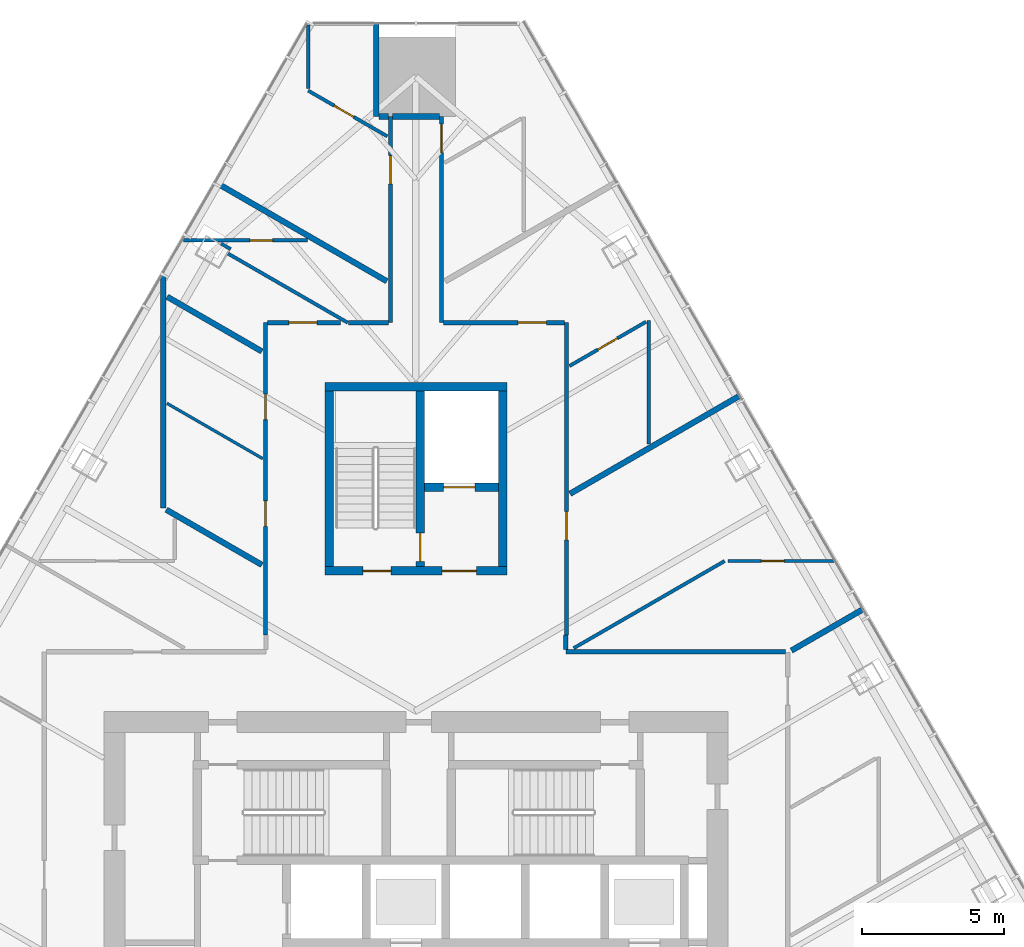
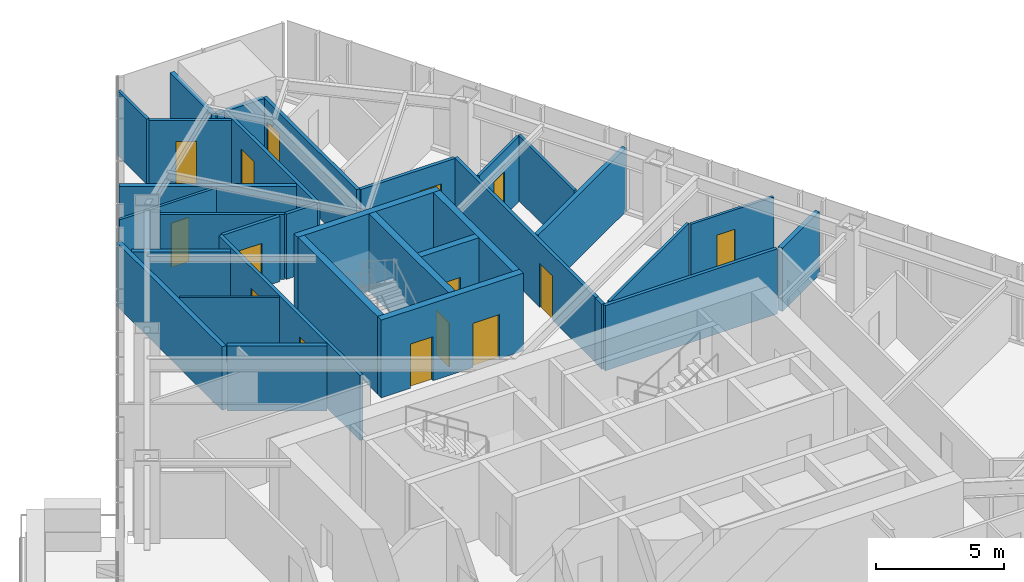
# One storey, part 18 of 23: 34 walls, 15 doors, 15 openings.
"""IFC4 building model written with IfcOpenShell, lengths in metres."""

from ifc_helpers import new_model, si_unit, direction, frame, frame_2d, origin, place, context, subcontext, project, spatial, rectangle, extrude, material, layer, layer_set, type_object, element, fill, save


model = new_model("IFC4")

# Units and contexts
model_context = context("Model", 3, precision=1e-05, world=origin(), true_north=direction((0.0, 1.0)))
body_context = subcontext(model_context, "Body", "Model", "MODEL_VIEW")
ifc_project = project(units=[si_unit("LENGTHUNIT", "METRE"), si_unit("AREAUNIT", "SQUARE_METRE"), si_unit("VOLUMEUNIT", "CUBIC_METRE"), si_unit("PLANEANGLEUNIT", "RADIAN"), si_unit("MASSUNIT", "GRAM", prefix="KILO")], contexts=[model_context])

# Site, building, storey
site_placement = place(None, origin())
site = spatial("IfcSite", under=ifc_project, at=site_placement, CompositionType="ELEMENT")
building_placement = place(site_placement, origin())
building = spatial("IfcBuilding", under=site, at=building_placement, Name="Firuza Gate Tower and Library", CompositionType="ELEMENT")
storey_placement = place(building_placement, frame((0.0, 0.0, 190.89990234375)))
storey = spatial("IfcBuildingStorey", under=building, at=storey_placement, Name="L44", CompositionType="ELEMENT", Elevation=190.89990234375)

# Wall, openings, doors
ifc_material_1 = material(Name="Concrete C80/95", Category="concrete")
ifc_layer_1 = layer(ifc_material_1, 0.300048828125)
ifc_layer_set_1 = layer_set([ifc_layer_1], Name="Core wall 300 C80/95")
wall_type_1 = type_object("IfcWallType", Name="Core wall 300 C80/95", PredefinedType="SHEAR", material=ifc_layer_set_1)
wall_1_placement = place(storey_placement, frame((71.800048828125, 87.949951171875, 0.0), z_axis=(0.0, 0.0, 1.0), x_axis=(1.0, 0.0, 0.0)))
wall_1 = element("IfcWall", 1, at=wall_1_placement, inside=storey, type_object=wall_type_1, Name="Core wall L44 27", PredefinedType="SHEAR", context=body_context, shape_type="SweptSolid", body=[
    extrude(rectangle(XDim=6.39990234375, YDim=0.300048828125, at=frame_2d((3.199951171875, 0.0))), origin(), (0.0, 0.0, 1.0), 3.7001953125),
])
opening_1_placement = place(wall_1_placement, frame((1.324951171875, 0.0, 0.0)))
opening_1 = element("IfcOpeningElement", 2, at=opening_1_placement, cuts=wall_1, Name="Opening L44-K15", PredefinedType="OPENING", context=body_context, shape_type="SweptSolid", body=[
    extrude(rectangle(XDim=1.0, YDim=2.10009765625, at=frame_2d((0.5, 1.050048828125))), frame((0.0, 0.16015625, 0.0), z_axis=(0.0, -1.0, 0.0), x_axis=(1.0, 0.0, 0.0)), (0.0, 0.0, 1.0), 0.320068359375),
])
opening_2_placement = place(wall_1_placement, frame((4.125, 0.0, 0.0)))
opening_2 = element("IfcOpeningElement", 3, at=opening_2_placement, cuts=wall_1, Name="Opening L44-K17", PredefinedType="OPENING", context=body_context, shape_type="SweptSolid", body=[
    extrude(rectangle(XDim=1.199951171875, YDim=2.10009765625, at=frame_2d((0.60009765625, 1.050048828125))), frame((0.0, 0.16015625, 0.0), z_axis=(0.0, -1.0, 0.0), x_axis=(1.0, 0.0, 0.0)), (0.0, 0.0, 1.0), 0.320068359375),
])
ifc_material_2 = material(Name="Steel", Category="steel")
door_type_1 = type_object("IfcDoorType", Name="Fire door 1000x2100 FD90", OperationType="NOTDEFINED", PredefinedType="DOOR", material=ifc_material_2)
door_1_placement = place(opening_1_placement, origin())
door_1 = element("IfcDoor", 4, at=door_1_placement, inside=storey, type_object=door_type_1, Name="Door L44-K15", OperationType="SINGLE_SWING_RIGHT", OverallHeight=2.10009765625, OverallWidth=1.0, PredefinedType="DOOR", context=body_context, shape_type="SweptSolid", body=[
    extrude(rectangle(XDim=1.0, YDim=2.10009765625, at=frame_2d((0.5, 1.050048828125))), frame((0.0, 0.02490234375, 0.0), z_axis=(0.0, -1.0, 0.0), x_axis=(1.0, 0.0, 0.0)), (0.0, 0.0, 1.0), 0.050048828125),
])
fill(opening_1, door_1)
ifc_material_3 = material(Name="Steel", Category="steel")
door_type_2 = type_object("IfcDoorType", Name="Fire door 1200x2100 FD30S", OperationType="NOTDEFINED", PredefinedType="DOOR", material=ifc_material_3)
door_2_placement = place(opening_2_placement, origin())
door_2 = element("IfcDoor", 5, at=door_2_placement, inside=storey, type_object=door_type_2, Name="Door L44-K17", OperationType="SINGLE_SWING_RIGHT", OverallHeight=2.10009765625, OverallWidth=1.199951171875, PredefinedType="DOOR", context=body_context, shape_type="SweptSolid", body=[
    extrude(rectangle(XDim=1.199951171875, YDim=2.10009765625, at=frame_2d((0.60009765625, 1.050048828125))), frame((0.0, 0.02490234375, 0.0), z_axis=(0.0, -1.0, 0.0), x_axis=(1.0, 0.0, 0.0)), (0.0, 0.0, 1.0), 0.050048828125),
])
fill(opening_2, door_2)

# Walls
wall_2_placement = place(storey_placement, frame((71.800048828125, 94.449951171875, 0.0), z_axis=(0.0, 0.0, 1.0), x_axis=(1.0, 0.0, 0.0)))
element("IfcWall", 6, at=wall_2_placement, inside=storey, type_object=wall_type_1, Name="Core wall L44 28", PredefinedType="SHEAR", context=body_context, shape_type="SweptSolid", body=[
    extrude(rectangle(XDim=6.39990234375, YDim=0.300048828125, at=frame_2d((3.199951171875, 0.0))), origin(), (0.0, 0.0, 1.0), 3.7001953125),
])
for number, where, z_axis, x_axis, name in (
    (7, (71.949951171875, 88.10009765625, 0.0), (0.0, 0.0, 1.0), (0.0, 1.0, 0.0), "Core wall L44 29"),
    (8, (78.050048828125, 88.10009765625, 0.0), (0.0, 0.0, 1.0), (0.0, 1.0, 0.0), "Core wall L44 30"),
):
    element("IfcWall", number, at=place(storey_placement, frame(where, z_axis=z_axis, x_axis=x_axis)), inside=storey, type_object=wall_type_1, Name=name, PredefinedType="SHEAR", context=body_context, shape_type="SweptSolid", body=[
        extrude(rectangle(XDim=6.199951171875, YDim=0.300048828125, at=frame_2d((3.10009765625, 0.0))), origin(), (0.0, 0.0, 1.0), 3.7001953125),
    ])

# Wall, opening, door
wall_3_placement = place(storey_placement, frame((75.300048828125, 90.89990234375, 0.0), z_axis=(0.0, 0.0, 1.0), x_axis=(1.0, 0.0, 0.0)))
wall_3 = element("IfcWall", 9, at=wall_3_placement, inside=storey, type_object=wall_type_1, Name="Core wall L44 31", PredefinedType="SHEAR", context=body_context, shape_type="SweptSolid", body=[
    extrude(rectangle(XDim=2.599853515625, YDim=0.300048828125, at=frame_2d((1.2998046875, 0.0))), origin(), (0.0, 0.0, 1.0), 3.7001953125),
])
opening_3_placement = place(wall_3_placement, frame((0.675048828125, 0.0, 0.0)))
opening_3 = element("IfcOpeningElement", 10, at=opening_3_placement, cuts=wall_3, Name="Opening LD-SV1-L44", PredefinedType="OPENING", context=body_context, shape_type="SweptSolid", body=[
    extrude(rectangle(XDim=1.10009765625, YDim=2.10009765625, at=frame_2d((0.550048828125, 1.050048828125))), frame((0.0, 0.16015625, 0.0), z_axis=(0.0, -1.0, 0.0), x_axis=(1.0, 0.0, 0.0)), (0.0, 0.0, 1.0), 0.320068359375),
])
ifc_material_4 = material(Name="Stainless steel", Category="steel")
door_type_3 = type_object("IfcDoorType", Name="Lift landing door 1100x2100", OperationType="DOUBLE_DOOR_SLIDING", PredefinedType="DOOR", material=ifc_material_4)
door_3_placement = place(opening_3_placement, origin())
door_3 = element("IfcDoor", 11, at=door_3_placement, inside=storey, type_object=door_type_3, Name="Landing door SV1 L44", OperationType="DOUBLE_DOOR_SLIDING", OverallHeight=2.10009765625, OverallWidth=1.10009765625, PredefinedType="DOOR", context=body_context, shape_type="SweptSolid", body=[
    extrude(rectangle(XDim=1.10009765625, YDim=2.10009765625, at=frame_2d((0.550048828125, 1.050048828125))), frame((0.0, 0.02490234375, 0.0), z_axis=(0.0, -1.0, 0.0), x_axis=(1.0, 0.0, 0.0)), (0.0, 0.0, 1.0), 0.050048828125),
])
fill(opening_3, door_3)

wall_4_placement = place(storey_placement, frame((75.14990234375, 88.10009765625, 0.0), z_axis=(0.0, 0.0, 1.0), x_axis=(0.0, 1.0, 0.0)))
wall_4 = element("IfcWall", 12, at=wall_4_placement, inside=storey, type_object=wall_type_1, Name="Core wall L44 32", PredefinedType="SHEAR", context=body_context, shape_type="SweptSolid", body=[
    extrude(rectangle(XDim=6.199951171875, YDim=0.300048828125, at=frame_2d((3.10009765625, 0.0))), origin(), (0.0, 0.0, 1.0), 3.7001953125),
])
opening_4_placement = place(wall_4_placement, frame((0.18505859375, 0.0, 0.0)))
opening_4 = element("IfcOpeningElement", 13, at=opening_4_placement, cuts=wall_4, Name="Opening L44-K16", PredefinedType="OPENING", context=body_context, shape_type="SweptSolid", body=[
    extrude(rectangle(XDim=1.0, YDim=2.10009765625, at=frame_2d((0.5, 1.050048828125))), frame((0.0, 0.16015625, 0.0), z_axis=(0.0, -1.0, 0.0), x_axis=(1.0, 0.0, 0.0)), (0.0, 0.0, 1.0), 0.320068359375),
])
door_4_placement = place(opening_4_placement, origin())
door_4 = element("IfcDoor", 14, at=door_4_placement, inside=storey, type_object=door_type_1, Name="Door L44-K16", OperationType="SINGLE_SWING_LEFT", OverallHeight=2.10009765625, OverallWidth=1.0, PredefinedType="DOOR", context=body_context, shape_type="SweptSolid", body=[
    extrude(rectangle(XDim=1.0, YDim=2.10009765625, at=frame_2d((0.5, 1.050048828125))), frame((0.0, 0.02490234375, 0.0), z_axis=(0.0, -1.0, 0.0), x_axis=(1.0, 0.0, 0.0)), (0.0, 0.0, 1.0), 0.050048828125),
])
fill(opening_4, door_4)

# Wall
ifc_material_5 = material(Name="Gypsum board partition")
ifc_layer_2 = layer(ifc_material_5, 0.14990234375)
ifc_layer_set_2 = layer_set([ifc_layer_2], Name="Corridor wall 150 double board on steel studs")
wall_type_2 = type_object("IfcWallType", Name="Corridor wall 150 double board on steel studs", PredefinedType="PARTITIONING", material=ifc_layer_set_2)
wall_5_placement = place(storey_placement, frame((80.280517578125, 85.10009765625, 0.0), z_axis=(0.0, 0.0, 1.0), x_axis=(1.0, 0.0, 0.0)))
element("IfcWall", 15, at=wall_5_placement, inside=storey, type_object=wall_type_2, Name="f:L44:w006", PredefinedType="PARTITIONING", context=body_context, shape_type="SweptSolid", body=[
    extrude(rectangle(XDim=7.744384765625, YDim=0.14990234375, at=frame_2d((3.8720703125, 0.0))), origin(), (0.0, 0.0, 1.0), 3.10009765625),
])

# Wall, opening, door
wall_6_placement = place(storey_placement, frame((69.775390625, 96.699951171875, 0.0), z_axis=(0.0, 0.0, 1.0), x_axis=(1.0, 0.0, 0.0)))
wall_6 = element("IfcWall", 16, at=wall_6_placement, inside=storey, type_object=wall_type_2, Name="f:L44:w009", PredefinedType="PARTITIONING", context=body_context, shape_type="SweptSolid", body=[
    extrude(rectangle(XDim=2.5673828125, YDim=0.14990234375, at=frame_2d((1.28369140625, 0.0))), origin(), (0.0, 0.0, 1.0), 3.10009765625),
])
opening_5_placement = place(wall_6_placement, frame((0.7421875, 0.0, 0.0)))
opening_5 = element("IfcOpeningElement", 17, at=opening_5_placement, cuts=wall_6, Name="Opening L44-09", PredefinedType="OPENING", context=body_context, shape_type="SweptSolid", body=[
    extrude(rectangle(XDim=1.0, YDim=2.10009765625, at=frame_2d((0.5, 1.050048828125))), frame((0.0, 0.0849609375, 0.0), z_axis=(0.0, -1.0, 0.0), x_axis=(1.0, 0.0, 0.0)), (0.0, 0.0, 1.0), 0.169921875),
])
ifc_material_6 = material(Name="Steel door and timber leaf", Category="steel")
door_type_4 = type_object("IfcDoorType", Name="Fire door 1000 x 2100 steel frame, timber leaf", OperationType="NOTDEFINED", PredefinedType="DOOR", material=ifc_material_6)
door_5_placement = place(opening_5_placement, origin())
door_5 = element("IfcDoor", 18, at=door_5_placement, inside=storey, type_object=door_type_4, Name="f:L44:d009", OperationType="SINGLE_SWING_LEFT", OverallHeight=2.10009765625, OverallWidth=1.0, PredefinedType="DOOR", context=body_context, shape_type="SweptSolid", body=[
    extrude(rectangle(XDim=1.0, YDim=2.10009765625, at=frame_2d((0.5, 1.050048828125))), frame((0.0, 0.02490234375, 0.0), z_axis=(0.0, -1.0, 0.0), x_axis=(1.0, 0.0, 0.0)), (0.0, 0.0, 1.0), 0.050048828125),
])
fill(opening_5, door_5)

wall_7_placement = place(storey_placement, frame((75.97509765625, 96.699951171875, 0.0), z_axis=(0.0, 0.0, 1.0), x_axis=(1.0, 0.0, 0.0)))
wall_7 = element("IfcWall", 19, at=wall_7_placement, inside=storey, type_object=wall_type_2, Name="f:L44:w010", PredefinedType="PARTITIONING", context=body_context, shape_type="SweptSolid", body=[
    extrude(rectangle(XDim=4.24951171875, YDim=0.14990234375, at=frame_2d((2.124755859375, 0.0))), origin(), (0.0, 0.0, 1.0), 3.10009765625),
])
opening_6_placement = place(wall_7_placement, frame((2.6220703125, 0.0, 0.0)))
opening_6 = element("IfcOpeningElement", 20, at=opening_6_placement, cuts=wall_7, Name="Opening L44-10", PredefinedType="OPENING", context=body_context, shape_type="SweptSolid", body=[
    extrude(rectangle(XDim=1.0, YDim=2.10009765625, at=frame_2d((0.5, 1.050048828125))), frame((0.0, 0.0849609375, 0.0), z_axis=(0.0, -1.0, 0.0), x_axis=(1.0, 0.0, 0.0)), (0.0, 0.0, 1.0), 0.169921875),
])
door_6_placement = place(opening_6_placement, origin())
door_6 = element("IfcDoor", 21, at=door_6_placement, inside=storey, type_object=door_type_4, Name="f:L44:d010", OperationType="SINGLE_SWING_LEFT", OverallHeight=2.10009765625, OverallWidth=1.0, PredefinedType="DOOR", context=body_context, shape_type="SweptSolid", body=[
    extrude(rectangle(XDim=1.0, YDim=2.10009765625, at=frame_2d((0.5, 1.050048828125))), frame((0.0, 0.02490234375, 0.0), z_axis=(0.0, -1.0, 0.0), x_axis=(1.0, 0.0, 0.0)), (0.0, 0.0, 1.0), 0.050048828125),
])
fill(opening_6, door_6)

wall_8_placement = place(storey_placement, frame((80.300048828125, 96.699462890625, 0.0), z_axis=(0.0, 0.0, 1.0), x_axis=(0.0, -1.0, 0.0)))
wall_8 = element("IfcWall", 22, at=wall_8_placement, inside=storey, type_object=wall_type_2, Name="f:L44:w042", PredefinedType="PARTITIONING", context=body_context, shape_type="SweptSolid", body=[
    extrude(rectangle(XDim=10.9990234375, YDim=0.14990234375, at=frame_2d((5.49951171875, 0.0))), origin(), (0.0, 0.0, 1.0), 3.09716796875),
])
opening_7_placement = place(wall_8_placement, frame((6.654296875, 0.0, 0.0)))
opening_7 = element("IfcOpeningElement", 23, at=opening_7_placement, cuts=wall_8, Name="Opening L44-23", PredefinedType="OPENING", context=body_context, shape_type="SweptSolid", body=[
    extrude(rectangle(XDim=1.0, YDim=2.10009765625, at=frame_2d((0.5, 1.050048828125))), frame((0.0, 0.0849609375, 0.0), z_axis=(0.0, -1.0, 0.0), x_axis=(1.0, 0.0, 0.0)), (0.0, 0.0, 1.0), 0.169921875),
])
door_7_placement = place(opening_7_placement, origin())
door_7 = element("IfcDoor", 24, at=door_7_placement, inside=storey, type_object=door_type_4, Name="f:L44:d023", OperationType="SINGLE_SWING_RIGHT", OverallHeight=2.10009765625, OverallWidth=1.0, PredefinedType="DOOR", context=body_context, shape_type="SweptSolid", body=[
    extrude(rectangle(XDim=1.0, YDim=2.10009765625, at=frame_2d((0.5, 1.050048828125))), frame((0.0, 0.02490234375, 0.0), z_axis=(0.0, -1.0, 0.0), x_axis=(1.0, 0.0, 0.0)), (0.0, 0.0, 1.0), 0.050048828125),
])
fill(opening_7, door_7)

# Wall
wall_9_placement = place(storey_placement, frame((80.281005859375, 85.175048828125, 0.0), z_axis=(0.0, 0.0, 1.0), x_axis=(0.0, 1.0, 0.0)))
element("IfcWall", 25, at=wall_9_placement, inside=storey, type_object=wall_type_2, Name="f:L44:w043", PredefinedType="PARTITIONING", context=body_context, shape_type="SweptSolid", body=[
    extrude(rectangle(XDim=0.52490234375, YDim=0.14990234375, at=frame_2d((0.262451171875, 0.0))), origin(), (0.0, 0.0, 1.0), 3.10009765625),
])

# Wall, opening, door
wall_10_placement = place(storey_placement, frame((75.89990234375, 103.96630859375, 0.0), z_axis=(0.0, 0.0, 1.0), x_axis=(0.0, -1.0, 0.0)))
wall_10 = element("IfcWall", 26, at=wall_10_placement, inside=storey, type_object=wall_type_2, Name="f:L44:w045", PredefinedType="PARTITIONING", context=body_context, shape_type="SweptSolid", body=[
    extrude(rectangle(XDim=7.266357421875, YDim=0.14990234375, at=frame_2d((3.63330078125, 0.0))), origin(), (0.0, 0.0, 1.0), 3.10009765625),
])
opening_8_placement = place(wall_10_placement, frame((0.274658203125, 0.0, 0.0)))
opening_8 = element("IfcOpeningElement", 27, at=opening_8_placement, cuts=wall_10, Name="Opening L44-24", PredefinedType="OPENING", context=body_context, shape_type="SweptSolid", body=[
    extrude(rectangle(XDim=1.0, YDim=2.10009765625, at=frame_2d((0.5, 1.050048828125))), frame((0.0, 0.0849609375, 0.0), z_axis=(0.0, -1.0, 0.0), x_axis=(1.0, 0.0, 0.0)), (0.0, 0.0, 1.0), 0.169921875),
])
door_8_placement = place(opening_8_placement, origin())
door_8 = element("IfcDoor", 28, at=door_8_placement, inside=storey, type_object=door_type_4, Name="f:L44:d024", OperationType="SINGLE_SWING_RIGHT", OverallHeight=2.10009765625, OverallWidth=1.0, PredefinedType="DOOR", context=body_context, shape_type="SweptSolid", body=[
    extrude(rectangle(XDim=1.0, YDim=2.10009765625, at=frame_2d((0.5, 1.050048828125))), frame((0.0, 0.02490234375, 0.0), z_axis=(0.0, -1.0, 0.0), x_axis=(1.0, 0.0, 0.0)), (0.0, 0.0, 1.0), 0.050048828125),
])
fill(opening_8, door_8)

wall_11_placement = place(storey_placement, frame((74.10009765625, 96.699951171875, 0.0), z_axis=(0.0, 0.0, 1.0), x_axis=(0.0, 1.0, 0.0)))
wall_11 = element("IfcWall", 29, at=wall_11_placement, inside=storey, type_object=wall_type_2, Name="f:L44:w048", PredefinedType="PARTITIONING", context=body_context, shape_type="SweptSolid", body=[
    extrude(rectangle(XDim=7.266845703125, YDim=0.14990234375, at=frame_2d((3.63330078125, 0.0))), origin(), (0.0, 0.0, 1.0), 3.10009765625),
])
opening_9_placement = place(wall_11_placement, frame((4.886474609375, 0.0, 0.0)))
opening_9 = element("IfcOpeningElement", 30, at=opening_9_placement, cuts=wall_11, Name="Opening L44-25", PredefinedType="OPENING", context=body_context, shape_type="SweptSolid", body=[
    extrude(rectangle(XDim=1.0, YDim=2.10009765625, at=frame_2d((0.5, 1.050048828125))), frame((0.0, 0.0849609375, 0.0), z_axis=(0.0, -1.0, 0.0), x_axis=(1.0, 0.0, 0.0)), (0.0, 0.0, 1.0), 0.169921875),
])
door_9_placement = place(opening_9_placement, origin())
door_9 = element("IfcDoor", 31, at=door_9_placement, inside=storey, type_object=door_type_4, Name="f:L44:d025", OperationType="SINGLE_SWING_LEFT", OverallHeight=2.10009765625, OverallWidth=1.0, PredefinedType="DOOR", context=body_context, shape_type="SweptSolid", body=[
    extrude(rectangle(XDim=1.0, YDim=2.10009765625, at=frame_2d((0.5, 1.050048828125))), frame((0.0, 0.02490234375, 0.0), z_axis=(0.0, -1.0, 0.0), x_axis=(1.0, 0.0, 0.0)), (0.0, 0.0, 1.0), 0.050048828125),
])
fill(opening_9, door_9)

# Wall, openings, doors
wall_12_placement = place(storey_placement, frame((69.699951171875, 85.700439453125, 0.0), z_axis=(0.0, 0.0, 1.0), x_axis=(0.0, 1.0, 0.0)))
wall_12 = element("IfcWall", 32, at=wall_12_placement, inside=storey, type_object=wall_type_2, Name="f:L44:w052", PredefinedType="PARTITIONING", context=body_context, shape_type="SweptSolid", body=[
    extrude(rectangle(XDim=10.9990234375, YDim=0.14990234375, at=frame_2d((5.49951171875, 0.0))), origin(), (0.0, 0.0, 1.0), 3.09716796875),
])
opening_10_placement = place(wall_12_placement, frame((3.819580078125, 0.0, 0.0)))
opening_10 = element("IfcOpeningElement", 33, at=opening_10_placement, cuts=wall_12, Name="Opening L44-26", PredefinedType="OPENING", context=body_context, shape_type="SweptSolid", body=[
    extrude(rectangle(XDim=0.89990234375, YDim=2.10009765625, at=frame_2d((0.449951171875, 1.050048828125))), frame((0.0, 0.0849609375, 0.0), z_axis=(0.0, -1.0, 0.0), x_axis=(1.0, 0.0, 0.0)), (0.0, 0.0, 1.0), 0.169921875),
])
opening_11_placement = place(wall_12_placement, frame((7.580810546875, 0.0, 0.0)))
opening_11 = element("IfcOpeningElement", 34, at=opening_11_placement, cuts=wall_12, Name="Opening L44-27", PredefinedType="OPENING", context=body_context, shape_type="SweptSolid", body=[
    extrude(rectangle(XDim=0.89990234375, YDim=2.10009765625, at=frame_2d((0.449951171875, 1.050048828125))), frame((0.0, 0.0849609375, 0.0), z_axis=(0.0, -1.0, 0.0), x_axis=(1.0, 0.0, 0.0)), (0.0, 0.0, 1.0), 0.169921875),
])
ifc_material_7 = material(Name="Steel door and timber leaf", Category="steel")
door_type_5 = type_object("IfcDoorType", Name="Fire door 900 x 2100 steel frame, timber leaf", OperationType="NOTDEFINED", PredefinedType="DOOR", material=ifc_material_7)
door_10_placement = place(opening_10_placement, origin())
door_10 = element("IfcDoor", 35, at=door_10_placement, inside=storey, type_object=door_type_5, Name="f:L44:d026", OperationType="SINGLE_SWING_RIGHT", OverallHeight=2.10009765625, OverallWidth=0.89990234375, PredefinedType="DOOR", context=body_context, shape_type="SweptSolid", body=[
    extrude(rectangle(XDim=0.89990234375, YDim=2.10009765625, at=frame_2d((0.449951171875, 1.050048828125))), frame((0.0, 0.02490234375, 0.0), z_axis=(0.0, -1.0, 0.0), x_axis=(1.0, 0.0, 0.0)), (0.0, 0.0, 1.0), 0.050048828125),
])
fill(opening_10, door_10)
door_11_placement = place(opening_11_placement, origin())
door_11 = element("IfcDoor", 36, at=door_11_placement, inside=storey, type_object=door_type_5, Name="f:L44:d027", OperationType="SINGLE_SWING_LEFT", OverallHeight=2.10009765625, OverallWidth=0.89990234375, PredefinedType="DOOR", context=body_context, shape_type="SweptSolid", body=[
    extrude(rectangle(XDim=0.89990234375, YDim=2.10009765625, at=frame_2d((0.449951171875, 1.050048828125))), frame((0.0, 0.02490234375, 0.0), z_axis=(0.0, -1.0, 0.0), x_axis=(1.0, 0.0, 0.0)), (0.0, 0.0, 1.0), 0.050048828125),
])
fill(opening_11, door_11)

# Walls
wall_13_placement = place(storey_placement, frame((72.6220703125, 96.699951171875, 0.0), z_axis=(0.0, 0.0, 1.0), x_axis=(1.0, 0.0, 0.0)))
element("IfcWall", 37, at=wall_13_placement, inside=storey, type_object=wall_type_2, Name="f:L44:w080", PredefinedType="PARTITIONING", context=body_context, shape_type="SweptSolid", body=[
    extrude(rectangle(XDim=1.40283203125, YDim=0.14990234375, at=frame_2d((0.701416015625, 0.0))), origin(), (0.0, 0.0, 1.0), 3.10009765625),
])
ifc_material_8 = material(Name="Gypsum board partition")
ifc_layer_3 = layer(ifc_material_8, 0.199951171875)
ifc_layer_set_3 = layer_set([ifc_layer_3], Name="Demising wall 200 acoustic double stud")
wall_type_3 = type_object("IfcWallType", Name="Demising wall 200 acoustic double stud", PredefinedType="PARTITIONING", material=ifc_layer_set_3)
wall_14_placement = place(storey_placement, frame((73.700439453125, 103.967041015625, 0.0), z_axis=(0.0, 0.0, 1.0), x_axis=(1.0, 0.0, 0.0)))
element("IfcWall", 38, at=wall_14_placement, inside=storey, type_object=wall_type_3, Name="f:L44:w012", PredefinedType="PARTITIONING", context=body_context, shape_type="SweptSolid", body=[
    extrude(rectangle(XDim=0.324462890625, YDim=0.199951171875, at=frame_2d((0.162109375, 0.0))), origin(), (0.0, 0.0, 1.0), 3.10009765625),
])
wall_15_placement = place(storey_placement, frame((88.22998046875, 85.145263671875, 0.0), z_axis=(0.0, 0.0, 1.0), x_axis=(0.866015650984, 0.500016891966, 0.0)))
element("IfcWall", 39, at=wall_15_placement, inside=storey, type_object=wall_type_3, Name="f:L44:w022", PredefinedType="PARTITIONING", context=body_context, shape_type="SweptSolid", body=[
    extrude(rectangle(XDim=2.87109375, YDim=0.199951171875, at=frame_2d((1.435546875, 0.0))), origin(), (0.0, 0.0, 1.0), 3.022216796875),
])
wall_16_placement = place(storey_placement, frame((80.427001953125, 90.669921875, 0.0), z_axis=(0.0, 0.0, 1.0), x_axis=(0.866024528585, 0.500001515888, 0.0)))
element("IfcWall", 40, at=wall_16_placement, inside=storey, type_object=wall_type_3, Name="f:L44:w024", PredefinedType="PARTITIONING", context=body_context, shape_type="SweptSolid", body=[
    extrude(rectangle(XDim=6.8662109375, YDim=0.199951171875, at=frame_2d((3.43310546875, 0.0))), origin(), (0.0, 0.0, 1.0), 3.022216796875),
])
wall_17_placement = place(storey_placement, frame((73.60009765625, 103.96728515625, 0.0), z_axis=(0.0, 0.0, 1.0), x_axis=(0.0, 1.0, 0.0)))
element("IfcWall", 41, at=wall_17_placement, inside=storey, type_object=wall_type_3, Name="f:L44:w049", PredefinedType="PARTITIONING", context=body_context, shape_type="SweptSolid", body=[
    extrude(rectangle(XDim=3.259521484375, YDim=0.199951171875, at=frame_2d((1.6298828125, 0.0))), origin(), (0.0, 0.0, 1.0), 3.10009765625),
])
wall_18_placement = place(storey_placement, frame((66.10009765625, 90.168701171875, 0.0), z_axis=(0.0, 0.0, 1.0), x_axis=(0.0, 1.0, 0.0)))
element("IfcWall", 42, at=wall_18_placement, inside=storey, type_object=wall_type_3, Name="f:L44:w054", PredefinedType="PARTITIONING", context=body_context, shape_type="SweptSolid", body=[
    extrude(rectangle(XDim=8.21826171875, YDim=0.199951171875, at=frame_2d((4.109130859375, 0.0))), origin(), (0.0, 0.0, 1.0), 3.022216796875),
])
wall_19_placement = place(storey_placement, frame((73.97314453125, 98.159423828125, 0.0), z_axis=(0.0, 0.0, 1.0), x_axis=(-0.866026061359, 0.499998861046, 0.0)))
element("IfcWall", 43, at=wall_19_placement, inside=storey, type_object=wall_type_3, Name="f:L44:w061", PredefinedType="PARTITIONING", context=body_context, shape_type="SweptSolid", body=[
    extrude(rectangle(XDim=6.93212890625, YDim=0.199951171875, at=frame_2d((3.466064453125, 0.0))), origin(), (0.0, 0.0, 1.0), 3.10009765625),
])
wall_20_placement = place(storey_placement, frame((69.572998046875, 95.684814453125, 0.0), z_axis=(0.0, 0.0, 1.0), x_axis=(-0.8660191159, 0.500010890777, 0.0)))
element("IfcWall", 44, at=wall_20_placement, inside=storey, type_object=wall_type_3, Name="f:L44:w064", PredefinedType="PARTITIONING", context=body_context, shape_type="SweptSolid", body=[
    extrude(rectangle(XDim=3.85888671875, YDim=0.199951171875, at=frame_2d((1.929443359375, 0.0))), origin(), (0.0, 0.0, 1.0), 3.022216796875),
])
wall_21_placement = place(storey_placement, frame((69.5732421875, 88.1630859375, 0.0), z_axis=(0.0, 0.0, 1.0), x_axis=(-0.866043624834, 0.499968438888, 0.0)))
element("IfcWall", 45, at=wall_21_placement, inside=storey, type_object=wall_type_3, Name="f:L44:w066", PredefinedType="PARTITIONING", context=body_context, shape_type="SweptSolid", body=[
    extrude(rectangle(XDim=3.894775390625, YDim=0.199951171875, at=frame_2d((1.947265625, 0.0))), origin(), (0.0, 0.0, 1.0), 3.10009765625),
])
wall_22_placement = place(storey_placement, frame((74.175048828125, 103.967041015625, 0.0), z_axis=(0.0, 0.0, 1.0), x_axis=(1.0, 0.0, 0.0)))
element("IfcWall", 46, at=wall_22_placement, inside=storey, type_object=wall_type_3, Name="f:L44:w081", PredefinedType="PARTITIONING", context=body_context, shape_type="SweptSolid", body=[
    extrude(rectangle(XDim=1.6494140625, YDim=0.199951171875, at=frame_2d((0.82470703125, 0.0))), origin(), (0.0, 0.0, 1.0), 3.09716796875),
])
ifc_material_9 = material(Name="Gypsum board partition")
ifc_layer_4 = layer(ifc_material_9, 0.10009765625)
ifc_layer_set_4 = layer_set([ifc_layer_4], Name="Partition 100 gypsum board on steel studs")
wall_type_4 = type_object("IfcWallType", Name="Partition 100 gypsum board on steel studs", PredefinedType="PARTITIONING", material=ifc_layer_set_4)
wall_23_placement = place(storey_placement, frame((69.59912109375, 91.908935546875, 0.0), z_axis=(0.0, 0.0, 1.0), x_axis=(-0.866016482536, 0.500015451737, 0.0)))
element("IfcWall", 47, at=wall_23_placement, inside=storey, type_object=wall_type_4, Name="f:L44:w065", PredefinedType="PARTITIONING", context=body_context, shape_type="SweptSolid", body=[
    extrude(rectangle(XDim=3.89501953125, YDim=0.10009765625, at=frame_2d((1.947509765625, 0.0))), origin(), (0.0, 0.0, 1.0), 3.10009765625),
])

# Wall, opening, door
ifc_material_10 = material(Name="Gypsum board partition")
ifc_layer_5 = layer(ifc_material_10, 0.1201171875)
ifc_layer_set_5 = layer_set([ifc_layer_5], Name="Wet-area partition 120 moisture-resistant board")
wall_type_5 = type_object("IfcWallType", Name="Wet-area partition 120 moisture-resistant board", PredefinedType="PARTITIONING", material=ifc_layer_set_5)
wall_24_placement = place(storey_placement, frame((89.7236328125, 88.300048828125, 0.0), z_axis=(0.0, 0.0, 1.0), x_axis=(-1.0, 0.0, 0.0)))
wall_24 = element("IfcWall", 48, at=wall_24_placement, inside=storey, type_object=wall_type_5, Name="f:L44:w008", PredefinedType="PARTITIONING", context=body_context, shape_type="SweptSolid", body=[
    extrude(rectangle(XDim=3.7275390625, YDim=0.1201171875, at=frame_2d((1.86376953125, 0.0))), origin(), (0.0, 0.0, 1.0), 3.022216796875),
])
opening_12_placement = place(wall_24_placement, frame((1.75244140625, 0.0, 0.0)))
opening_12 = element("IfcOpeningElement", 49, at=opening_12_placement, cuts=wall_24, Name="Opening L44-08", PredefinedType="OPENING", context=body_context, shape_type="SweptSolid", body=[
    extrude(rectangle(XDim=0.800048828125, YDim=2.10009765625, at=frame_2d((0.39990234375, 1.050048828125))), frame((0.0, 0.070068359375, 0.0), z_axis=(0.0, -1.0, 0.0), x_axis=(1.0, 0.0, 0.0)), (0.0, 0.0, 1.0), 0.14013671875),
])
ifc_material_11 = material(Name="Timber door", Category="wood")
door_type_6 = type_object("IfcDoorType", Name="Door 800 x 2100 timber leaf", OperationType="NOTDEFINED", PredefinedType="DOOR", material=ifc_material_11)
door_12_placement = place(opening_12_placement, origin())
door_12 = element("IfcDoor", 50, at=door_12_placement, inside=storey, type_object=door_type_6, Name="f:L44:d008", OperationType="SINGLE_SWING_LEFT", OverallHeight=2.10009765625, OverallWidth=0.800048828125, PredefinedType="DOOR", context=body_context, shape_type="SweptSolid", body=[
    extrude(rectangle(XDim=0.800048828125, YDim=2.10009765625, at=frame_2d((0.39990234375, 1.050048828125))), frame((0.0, 0.02490234375, 0.0), z_axis=(0.0, -1.0, 0.0), x_axis=(1.0, 0.0, 0.0)), (0.0, 0.0, 1.0), 0.050048828125),
])
fill(opening_12, door_12)

wall_25_placement = place(storey_placement, frame((71.169921875, 99.60009765625, 0.0), z_axis=(0.0, 0.0, 1.0), x_axis=(-1.0, 0.0, 0.0)))
wall_25 = element("IfcWall", 51, at=wall_25_placement, inside=storey, type_object=wall_type_5, Name="f:L44:w011", PredefinedType="PARTITIONING", context=body_context, shape_type="SweptSolid", body=[
    extrude(rectangle(XDim=4.36962890625, YDim=0.1201171875, at=frame_2d((2.184814453125, 0.0))), origin(), (0.0, 0.0, 1.0), 3.10009765625),
])
opening_13_placement = place(wall_25_placement, frame((1.2177734375, 0.0, 0.0)))
opening_13 = element("IfcOpeningElement", 52, at=opening_13_placement, cuts=wall_25, Name="Opening L44-11", PredefinedType="OPENING", context=body_context, shape_type="SweptSolid", body=[
    extrude(rectangle(XDim=0.800048828125, YDim=2.10009765625, at=frame_2d((0.39990234375, 1.050048828125))), frame((0.0, 0.070068359375, 0.0), z_axis=(0.0, -1.0, 0.0), x_axis=(1.0, 0.0, 0.0)), (0.0, 0.0, 1.0), 0.14013671875),
])
door_13_placement = place(opening_13_placement, origin())
door_13 = element("IfcDoor", 53, at=door_13_placement, inside=storey, type_object=door_type_6, Name="f:L44:d011", OperationType="SINGLE_SWING_LEFT", OverallHeight=2.10009765625, OverallWidth=0.800048828125, PredefinedType="DOOR", context=body_context, shape_type="SweptSolid", body=[
    extrude(rectangle(XDim=0.800048828125, YDim=2.10009765625, at=frame_2d((0.39990234375, 1.050048828125))), frame((0.0, 0.02490234375, 0.0), z_axis=(0.0, -1.0, 0.0), x_axis=(1.0, 0.0, 0.0)), (0.0, 0.0, 1.0), 0.050048828125),
])
fill(opening_13, door_13)

# Wall
wall_26_placement = place(storey_placement, frame((80.558837890625, 85.22998046875, 0.0), z_axis=(0.0, 0.0, 1.0), x_axis=(0.866020046725, 0.500009278584, 0.0)))
element("IfcWall", 54, at=wall_26_placement, inside=storey, type_object=wall_type_5, Name="f:L44:w023", PredefinedType="PARTITIONING", context=body_context, shape_type="SweptSolid", body=[
    extrude(rectangle(XDim=6.14013671875, YDim=0.1201171875, at=frame_2d((3.070068359375, 0.0))), origin(), (0.0, 0.0, 1.0), 3.10009765625),
])

# Wall, opening, door
wall_27_placement = place(storey_placement, frame((83.105224609375, 96.72998046875, 0.0), z_axis=(0.0, 0.0, 1.0), x_axis=(-0.866028856698, -0.499994019331, 0.0)))
wall_27 = element("IfcWall", 55, at=wall_27_placement, inside=storey, type_object=wall_type_5, Name="f:L44:w025", PredefinedType="PARTITIONING", context=body_context, shape_type="SweptSolid", body=[
    extrude(rectangle(XDim=3.11279296875, YDim=0.1201171875, at=frame_2d((1.556396484375, 0.0))), origin(), (0.0, 0.0, 1.0), 3.10009765625),
])
opening_14_placement = place(wall_27_placement, frame((1.156494140625, 0.0, 0.0)))
opening_14 = element("IfcOpeningElement", 56, at=opening_14_placement, cuts=wall_27, Name="Opening L44-18", PredefinedType="OPENING", context=body_context, shape_type="SweptSolid", body=[
    extrude(rectangle(XDim=0.800048828125, YDim=2.10009765625, at=frame_2d((0.39990234375, 1.050048828125))), frame((0.0, 0.070068359375, 0.0), z_axis=(0.0, -1.0, 0.0), x_axis=(1.0, 0.0, 0.0)), (0.0, 0.0, 1.0), 0.14013671875),
])
door_14_placement = place(opening_14_placement, origin())
door_14 = element("IfcDoor", 57, at=door_14_placement, inside=storey, type_object=door_type_6, Name="f:L44:d018", OperationType="SINGLE_SWING_LEFT", OverallHeight=2.10009765625, OverallWidth=0.800048828125, PredefinedType="DOOR", context=body_context, shape_type="SweptSolid", body=[
    extrude(rectangle(XDim=0.800048828125, YDim=2.10009765625, at=frame_2d((0.39990234375, 1.050048828125))), frame((0.0, 0.02490234375, 0.0), z_axis=(0.0, -1.0, 0.0), x_axis=(1.0, 0.0, 0.0)), (0.0, 0.0, 1.0), 0.050048828125),
])
fill(opening_14, door_14)

# Walls
wall_28_placement = place(storey_placement, frame((83.199951171875, 92.426513671875, 0.0), z_axis=(0.0, 0.0, 1.0), x_axis=(0.0, 1.0, 0.0)))
element("IfcWall", 58, at=wall_28_placement, inside=storey, type_object=wall_type_5, Name="f:L44:w041", PredefinedType="PARTITIONING", context=body_context, shape_type="SweptSolid", body=[
    extrude(rectangle(XDim=4.35791015625, YDim=0.1201171875, at=frame_2d((2.178955078125, 0.0))), origin(), (0.0, 0.0, 1.0), 3.10009765625),
])
wall_29_placement = place(storey_placement, frame((71.199951171875, 104.94482421875, 0.0), z_axis=(0.0, 0.0, 1.0), x_axis=(0.0, 1.0, 0.0)))
element("IfcWall", 59, at=wall_29_placement, inside=storey, type_object=wall_type_5, Name="f:L44:w050", PredefinedType="PARTITIONING", context=body_context, shape_type="SweptSolid", body=[
    extrude(rectangle(XDim=2.252197265625, YDim=0.1201171875, at=frame_2d((1.1259765625, 0.0))), origin(), (0.0, 0.0, 1.0), 3.10009765625),
])

# Wall, opening, door
wall_30_placement = place(storey_placement, frame((71.199951171875, 104.875732421875, 0.0), z_axis=(0.0, 0.0, 1.0), x_axis=(0.866029130051, -0.499993545862, 0.0)))
wall_30 = element("IfcWall", 60, at=wall_30_placement, inside=storey, type_object=wall_type_5, Name="f:L44:w060", PredefinedType="PARTITIONING", context=body_context, shape_type="SweptSolid", body=[
    extrude(rectangle(XDim=3.22216796875, YDim=0.1201171875, at=frame_2d((1.611083984375, 0.0))), origin(), (0.0, 0.0, 1.0), 3.10009765625),
])
opening_15_placement = place(wall_30_placement, frame((1.06103515625, 0.0, 0.0)))
opening_15 = element("IfcOpeningElement", 61, at=opening_15_placement, cuts=wall_30, Name="Opening L44-29", PredefinedType="OPENING", context=body_context, shape_type="SweptSolid", body=[
    extrude(rectangle(XDim=0.800048828125, YDim=2.10009765625, at=frame_2d((0.39990234375, 1.050048828125))), frame((0.0, 0.070068359375, 0.0), z_axis=(0.0, -1.0, 0.0), x_axis=(1.0, 0.0, 0.0)), (0.0, 0.0, 1.0), 0.14013671875),
])
door_15_placement = place(opening_15_placement, origin())
door_15 = element("IfcDoor", 62, at=door_15_placement, inside=storey, type_object=door_type_6, Name="f:L44:d029", OperationType="SINGLE_SWING_LEFT", OverallHeight=2.10009765625, OverallWidth=0.800048828125, PredefinedType="DOOR", context=body_context, shape_type="SweptSolid", body=[
    extrude(rectangle(XDim=0.800048828125, YDim=2.10009765625, at=frame_2d((0.39990234375, 1.050048828125))), frame((0.0, 0.02490234375, 0.0), z_axis=(0.0, -1.0, 0.0), x_axis=(1.0, 0.0, 0.0)), (0.0, 0.0, 1.0), 0.050048828125),
])
fill(opening_15, door_15)

# Walls
wall_31_placement = place(storey_placement, frame((68.46923828125, 99.290771484375, 0.0), z_axis=(0.0, 0.0, 1.0), x_axis=(-0.865986299303, 0.500067724834, 0.0)))
element("IfcWall", 63, at=wall_31_placement, inside=storey, type_object=wall_type_5, Name="f:L44:w062", PredefinedType="PARTITIONING", context=body_context, shape_type="SweptSolid", body=[
    extrude(rectangle(XDim=0.3876953125, YDim=0.1201171875, at=frame_2d((0.19384765625, 0.0))), origin(), (0.0, 0.0, 1.0), 3.10009765625),
])
wall_32_placement = place(storey_placement, frame((72.592041015625, 96.700439453125, 0.0), z_axis=(0.0, 0.0, 1.0), x_axis=(-0.866036013313, 0.499981623307, 0.0)))
element("IfcWall", 64, at=wall_32_placement, inside=storey, type_object=wall_type_5, Name="f:L44:w063", PredefinedType="PARTITIONING", context=body_context, shape_type="SweptSolid", body=[
    extrude(rectangle(XDim=4.865478515625, YDim=0.1201171875, at=frame_2d((2.4326171875, 0.0))), origin(), (0.0, 0.0, 1.0), 3.10009765625),
])

save(model, "model.ifc")
